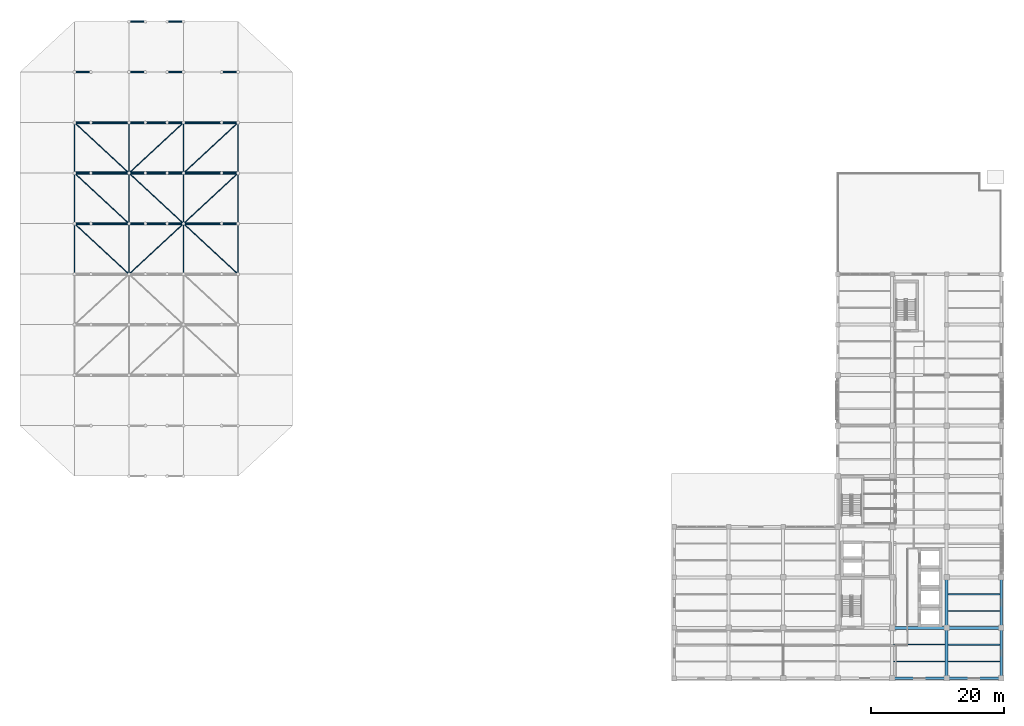
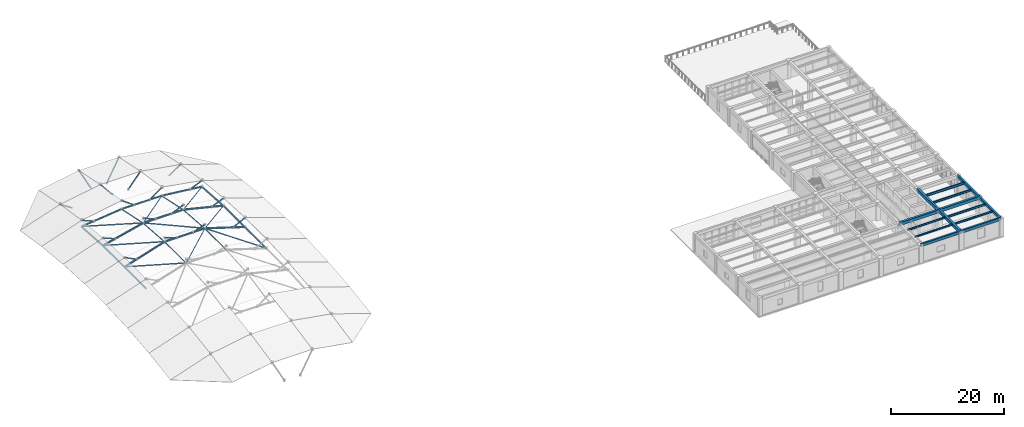
# One storey, part 6 of 22: 48 members, 14 beams.
"""IFC4 building model written with IfcOpenShell, lengths in metres."""

from ifc_helpers import new_model, si_unit, direction, frame, origin, origin_2d, place, context, subcontext, project, spatial, rectangle, hollow_rectangle, hollow_circle, i_section, extrude, material, material_profile, profile_set, type_object, element, save


model = new_model("IFC4")

# Units and contexts
model_context = context("Model", 3, precision=1e-05, world=origin(), true_north=direction((0.0, 1.0)))
body_context = subcontext(model_context, "Body", "Model", "MODEL_VIEW")
ifc_project = project(units=[si_unit("LENGTHUNIT", "METRE"), si_unit("AREAUNIT", "SQUARE_METRE"), si_unit("VOLUMEUNIT", "CUBIC_METRE"), si_unit("PLANEANGLEUNIT", "RADIAN"), si_unit("MASSUNIT", "GRAM", prefix="KILO")], contexts=[model_context])

# Site, building, storey
site_placement = place(None, origin())
site = spatial("IfcSite", under=ifc_project, at=site_placement, CompositionType="ELEMENT")
building_placement = place(site_placement, origin())
building = spatial("IfcBuilding", under=site, at=building_placement, Name="Qandaris Square Conservatory and Botanical Centre", CompositionType="ELEMENT")
storey_placement = place(building_placement, frame((0.0, 0.0, 19.800048828125)))
storey = spatial("IfcBuildingStorey", under=building, at=storey_placement, Name="L04", CompositionType="ELEMENT", Elevation=19.800048828125)

# Beams
ifc_material_1 = material(Name="Steel S355", Category="steel")
ifc_material_profile_1 = material_profile(ifc_material_1, i_section(OverallWidth=0.18994140625, OverallDepth=0.449951171875, WebThickness=0.009521484375, FlangeThickness=0.0146484375, FilletRadius=0.02099609375, at=origin_2d()), Name="IPE 450")
ifc_profile_set_1 = profile_set([ifc_material_profile_1], Name="Steel S355")
beam_type_1 = type_object("IfcBeamType", Name="Composite Archive Joist IPE 450", PredefinedType="JOIST", material=ifc_profile_set_1)
for number, where, z_axis, x_axis, name in (
    (1, (155.824951171875, 21.666748046875, 3.704833984375), (1.0, 0.0, 0.0), (0.0, 1.0, 0.0), "L04 Composite Joist 1808"),
    (2, (155.824951171875, 26.7333984375, 3.704833984375), (1.0, 0.0, 0.0), (0.0, 1.0, 0.0), "L04 Composite Joist 1809"),
):
    element("IfcBeam", number, at=place(storey_placement, frame(where, z_axis=z_axis, x_axis=x_axis)), inside=storey, type_object=beam_type_1, Name=name, PredefinedType="JOIST", context=body_context, shape_type="SweptSolid", body=[
        extrude(i_section(OverallWidth=0.18994140625, OverallDepth=0.449951171875, WebThickness=0.009521484375, FlangeThickness=0.0146484375, FilletRadius=0.02099609375, at=origin_2d()), origin(), (0.0, 0.0, 1.0), 7.800048828125),
    ])
ifc_material_profile_2 = material_profile(ifc_material_1, i_section(OverallWidth=0.199951171875, OverallDepth=0.5, WebThickness=0.01025390625, FlangeThickness=0.01611328125, FilletRadius=0.02099609375, at=origin_2d()), Name="IPE 500")
ifc_profile_set_2 = profile_set([ifc_material_profile_2], Name="Steel S355")
beam_type_2 = type_object("IfcBeamType", Name="Composite Gallery Joist IPE 500", PredefinedType="JOIST", material=ifc_profile_set_2)
beam_1_placement = place(storey_placement, frame((155.824951171875, 29.2666015625, 3.679931640625), z_axis=(1.0, 0.0, 0.0), x_axis=(0.0, 1.0, 0.0)))
element("IfcBeam", 3, at=beam_1_placement, inside=storey, type_object=beam_type_2, Name="L04 Composite Joist 1810", PredefinedType="JOIST", context=body_context, shape_type="SweptSolid", body=[
    extrude(i_section(OverallWidth=0.199951171875, OverallDepth=0.5, WebThickness=0.01025390625, FlangeThickness=0.01611328125, FilletRadius=0.02099609375, at=origin_2d()), origin(), (0.0, 0.0, 1.0), 7.800048828125),
])
ifc_material_profile_3 = material_profile(ifc_material_1, i_section(OverallWidth=0.169921875, OverallDepth=0.360107421875, WebThickness=0.008056640625, FlangeThickness=0.0126953125, FilletRadius=0.01806640625, at=origin_2d()), Name="IPE 360")
ifc_profile_set_3 = profile_set([ifc_material_profile_3], Name="Steel S355")
beam_type_3 = type_object("IfcBeamType", Name="Composite Lab Joist IPE 360", PredefinedType="JOIST", material=ifc_profile_set_3)
beam_2_placement = place(storey_placement, frame((147.625, 19.13330078125, 3.75), z_axis=(1.0, 0.0, 0.0), x_axis=(0.0, 1.0, 0.0)))
element("IfcBeam", 4, at=beam_2_placement, inside=storey, type_object=beam_type_3, Name="L04 Composite Joist 1796", PredefinedType="JOIST", context=body_context, shape_type="SweptSolid", body=[
    extrude(i_section(OverallWidth=0.169921875, OverallDepth=0.360107421875, WebThickness=0.008056640625, FlangeThickness=0.0126953125, FilletRadius=0.01806640625, at=origin_2d()), origin(), (0.0, 0.0, 1.0), 7.75),
])
ifc_material_profile_4 = material_profile(ifc_material_1, i_section(OverallWidth=0.179931640625, OverallDepth=0.39990234375, WebThickness=0.008544921875, FlangeThickness=0.013427734375, FilletRadius=0.02099609375, at=origin_2d()), Name="IPE 400")
ifc_profile_set_4 = profile_set([ifc_material_profile_4], Name="Steel S355")
beam_type_4 = type_object("IfcBeamType", Name="Composite Plinth Joist IPE 400", PredefinedType="JOIST", material=ifc_profile_set_4)
beam_3_placement = place(storey_placement, frame((147.625, 21.666748046875, 3.72998046875), z_axis=(1.0, 0.0, 0.0), x_axis=(0.0, 1.0, 0.0)))
element("IfcBeam", 5, at=beam_3_placement, inside=storey, type_object=beam_type_4, Name="L04 Composite Joist 1797", PredefinedType="JOIST", context=body_context, shape_type="SweptSolid", body=[
    extrude(i_section(OverallWidth=0.179931640625, OverallDepth=0.39990234375, WebThickness=0.008544921875, FlangeThickness=0.013427734375, FilletRadius=0.02099609375, at=origin_2d()), origin(), (0.0, 0.0, 1.0), 7.75),
])
beam_4_placement = place(storey_placement, frame((155.824951171875, 19.13330078125, 3.72998046875), z_axis=(1.0, 0.0, 0.0), x_axis=(0.0, 1.0, 0.0)))
element("IfcBeam", 6, at=beam_4_placement, inside=storey, type_object=beam_type_4, Name="L04 Composite Joist 1807", PredefinedType="JOIST", context=body_context, shape_type="SweptSolid", body=[
    extrude(i_section(OverallWidth=0.179931640625, OverallDepth=0.39990234375, WebThickness=0.008544921875, FlangeThickness=0.013427734375, FilletRadius=0.02099609375, at=origin_2d()), origin(), (0.0, 0.0, 1.0), 7.800048828125),
])

# Members
ifc_material_profile_5 = material_profile(ifc_material_1, hollow_circle(Radius=0.084228515625, WallThickness=0.008056640625, at=origin_2d()), Name="CHS 168.3x8.0")
ifc_profile_set_5 = profile_set([ifc_material_profile_5], Name="Steel S355")
member_type_1 = type_object("IfcMemberType", Name="Gridshell Crown Diagrid Brace CHS 168.3x8.0", PredefinedType="BRACE", material=ifc_profile_set_5)
for number, where, z_axis, x_axis, name in (
    (7, (24.39990234375, 85.0, 0.531982421875), (0.714710412362, -0.662407262618, 0.22451201503), (0.679760654278, 0.733434014002, 0.0), "Conservatory Diagrid Brace 012"),
    (8, (24.39990234375, 92.60009765625, 0.531982421875), (0.714710412362, -0.662407262618, 0.22451201503), (0.679760654278, 0.733434014002, 0.0), "Conservatory Diagrid Brace 013"),
):
    element("IfcMember", number, at=place(storey_placement, frame(where, z_axis=z_axis, x_axis=x_axis)), inside=storey, type_object=member_type_1, Name=name, PredefinedType="BRACE", context=body_context, shape_type="SweptSolid", body=[
        extrude(hollow_circle(Radius=0.084228515625, WallThickness=0.008056640625, at=origin_2d()), origin(), (0.0, 0.0, 1.0), 11.473388671875),
    ])
member_1_placement = place(storey_placement, frame((24.39990234375, 100.199951171875, 0.02880859375), z_axis=(0.715675757683, -0.663280655619, 0.218785241154), x_axis=(0.679748907773, 0.733444900713, 0.0)))
element("IfcMember", 9, at=member_1_placement, inside=storey, type_object=member_type_1, Name="Conservatory Diagrid Brace 014", PredefinedType="BRACE", context=body_context, shape_type="SweptSolid", body=[
    extrude(hollow_circle(Radius=0.084228515625, WallThickness=0.008056640625, at=origin_2d()), origin(), (0.0, 0.0, 1.0), 11.4580078125),
])
member_2_placement = place(storey_placement, frame((32.60009765625, 77.39990234375, 3.10791015625), z_axis=(0.733423923811, 0.67977154102, 0.0), x_axis=(-0.67977154102, 0.733423923811, 0.0)))
element("IfcMember", 10, at=member_2_placement, inside=storey, type_object=member_type_1, Name="Conservatory Diagrid Brace 021", PredefinedType="BRACE", context=body_context, shape_type="SweptSolid", body=[
    extrude(hollow_circle(Radius=0.084228515625, WallThickness=0.008056640625, at=origin_2d()), origin(), (0.0, 0.0, 1.0), 11.180419921875),
])
member_3_placement = place(storey_placement, frame((32.60009765625, 92.60009765625, 2.53564453125), z_axis=(0.732465062761, -0.678882823823, 0.051117935723), x_axis=(0.67977154102, 0.733423923811, 0.0)))
element("IfcMember", 11, at=member_3_placement, inside=storey, type_object=member_type_1, Name="Conservatory Diagrid Brace 022", PredefinedType="BRACE", context=body_context, shape_type="SweptSolid", body=[
    extrude(hollow_circle(Radius=0.084228515625, WallThickness=0.008056640625, at=origin_2d()), origin(), (0.0, 0.0, 1.0), 11.195068359375),
])
member_4_placement = place(storey_placement, frame((32.60009765625, 92.60009765625, 2.53564453125), z_axis=(0.726125483003, 0.672985386024, -0.140827742766), x_axis=(-0.67975979465, 0.733434810721, 0.0)))
element("IfcMember", 12, at=member_4_placement, inside=storey, type_object=member_type_1, Name="Conservatory Diagrid Brace 023", PredefinedType="BRACE", context=body_context, shape_type="SweptSolid", body=[
    extrude(hollow_circle(Radius=0.084228515625, WallThickness=0.008056640625, at=origin_2d()), origin(), (0.0, 0.0, 1.0), 11.292724609375),
])
for number, where, z_axis, x_axis, name in (
    (13, (40.800048828125, 85.0, 3.10791015625), (0.714700002797, -0.66241733668, -0.224515429467), (0.67977154102, 0.733423923811, 0.0), "Conservatory Diagrid Brace 030"),
    (14, (40.800048828125, 85.0, 3.10791015625), (0.714700002797, 0.66241733668, -0.224515429467), (-0.67977154102, 0.733423923811, 0.0), "Conservatory Diagrid Brace 031"),
):
    element("IfcMember", number, at=place(storey_placement, frame(where, z_axis=z_axis, x_axis=x_axis)), inside=storey, type_object=member_type_1, Name=name, PredefinedType="BRACE", context=body_context, shape_type="SweptSolid", body=[
        extrude(hollow_circle(Radius=0.084228515625, WallThickness=0.008056640625, at=origin_2d()), origin(), (0.0, 0.0, 1.0), 11.473388671875),
    ])
member_5_placement = place(storey_placement, frame((40.800048828125, 92.60009765625, 2.53564453125), z_axis=(0.71566536348, 0.663290770232, -0.218788577492), x_axis=(-0.67975979465, 0.733434810721, 0.0)))
element("IfcMember", 15, at=member_5_placement, inside=storey, type_object=member_type_1, Name="Conservatory Diagrid Brace 032", PredefinedType="BRACE", context=body_context, shape_type="SweptSolid", body=[
    extrude(hollow_circle(Radius=0.084228515625, WallThickness=0.008056640625, at=origin_2d()), origin(), (0.0, 0.0, 1.0), 11.457763671875),
])
ifc_material_profile_6 = material_profile(ifc_material_1, hollow_circle(Radius=0.136474609375, WallThickness=0.010009765625, at=origin_2d()), Name="CHS 273.0x10.0")
ifc_profile_set_6 = profile_set([ifc_material_profile_6], Name="Steel S355")
member_type_2 = type_object("IfcMemberType", Name="Gridshell Crown Ring Chord CHS 273.0x10.0", PredefinedType="CHORD", material=ifc_profile_set_6)
member_6_placement = place(storey_placement, frame((26.860107421875, 85.0, 1.3046875), z_axis=(-0.894373932266, 0.0, 0.447320097114), x_axis=(0.0, -1.0, 0.0)))
element("IfcMember", 16, at=member_6_placement, inside=storey, type_object=member_type_2, Name="Dome Glazing V-Strut 1.5", PredefinedType="CHORD", context=body_context, shape_type="SweptSolid", body=[
    extrude(hollow_circle(Radius=0.136474609375, WallThickness=0.010009765625, at=origin_2d()), origin(), (0.0, 0.0, 1.0), 2.750732421875),
])
member_7_placement = place(storey_placement, frame((26.860107421875, 92.60009765625, 1.133056640625), z_axis=(-0.924818684951, 0.0, 0.380408201759), x_axis=(0.0, -1.0, 0.0)))
element("IfcMember", 17, at=member_7_placement, inside=storey, type_object=member_type_2, Name="Dome Glazing V-Strut 1.6", PredefinedType="CHORD", context=body_context, shape_type="SweptSolid", body=[
    extrude(hollow_circle(Radius=0.136474609375, WallThickness=0.010009765625, at=origin_2d()), origin(), (0.0, 0.0, 1.0), 2.66015625),
])
member_8_placement = place(storey_placement, frame((26.860107421875, 100.199951171875, 0.303955078125), z_axis=(-0.918275535338, 0.0, 0.395941966959), x_axis=(0.0, -1.0, 0.0)))
element("IfcMember", 18, at=member_8_placement, inside=storey, type_object=member_type_2, Name="Dome Glazing V-Strut 1.7", PredefinedType="CHORD", context=body_context, shape_type="SweptSolid", body=[
    extrude(hollow_circle(Radius=0.136474609375, WallThickness=0.010009765625, at=origin_2d()), origin(), (0.0, 0.0, 1.0), 2.67919921875),
])
member_9_placement = place(storey_placement, frame((26.860107421875, 107.800048828125, -1.43994140625), z_axis=(-0.832964779226, 0.0, 0.553326012915), x_axis=(0.0, -1.0, 0.0)))
element("IfcMember", 19, at=member_9_placement, inside=storey, type_object=member_type_2, Name="Dome Glazing V-Strut 1.8", PredefinedType="CHORD", context=body_context, shape_type="SweptSolid", body=[
    extrude(hollow_circle(Radius=0.136474609375, WallThickness=0.010009765625, at=origin_2d()), origin(), (0.0, 0.0, 1.0), 2.95361328125),
])
member_10_placement = place(storey_placement, frame((35.06005859375, 85.0, 3.10791015625), z_axis=(-0.948758599328, 0.0, 0.316001772464), x_axis=(0.0, -1.0, 0.0)))
element("IfcMember", 20, at=member_10_placement, inside=storey, type_object=member_type_2, Name="Dome Glazing V-Strut 2.5", PredefinedType="CHORD", context=body_context, shape_type="SweptSolid", body=[
    extrude(hollow_circle(Radius=0.136474609375, WallThickness=0.010009765625, at=origin_2d()), origin(), (0.0, 0.0, 1.0), 2.5927734375),
])
member_11_placement = place(storey_placement, frame((35.06005859375, 92.60009765625, 2.53564453125), z_axis=(-0.926189872577, 0.0, 0.377057449118), x_axis=(0.0, -1.0, 0.0)))
element("IfcMember", 21, at=member_11_placement, inside=storey, type_object=member_type_2, Name="Dome Glazing V-Strut 2.6", PredefinedType="CHORD", context=body_context, shape_type="SweptSolid", body=[
    extrude(hollow_circle(Radius=0.136474609375, WallThickness=0.010009765625, at=origin_2d()), origin(), (0.0, 0.0, 1.0), 2.656005859375),
])
member_12_placement = place(storey_placement, frame((35.06005859375, 100.199951171875, 0.9453125), z_axis=(-0.805224530381, 0.0, 0.59297002932), x_axis=(0.0, -1.0, 0.0)))
element("IfcMember", 22, at=member_12_placement, inside=storey, type_object=member_type_2, Name="Dome Glazing V-Strut 2.7", PredefinedType="CHORD", context=body_context, shape_type="SweptSolid", body=[
    extrude(hollow_circle(Radius=0.136474609375, WallThickness=0.010009765625, at=origin_2d()), origin(), (0.0, 0.0, 1.0), 3.054931640625),
])
member_13_placement = place(storey_placement, frame((35.06005859375, 107.800048828125, -1.43994140625), z_axis=(-0.630752866449, 0.0, 0.775983776548), x_axis=(0.0, -1.0, 0.0)))
element("IfcMember", 23, at=member_13_placement, inside=storey, type_object=member_type_2, Name="Dome Glazing V-Strut 2.8", PredefinedType="CHORD", context=body_context, shape_type="SweptSolid", body=[
    extrude(hollow_circle(Radius=0.136474609375, WallThickness=0.010009765625, at=origin_2d()), origin(), (0.0, 0.0, 1.0), 3.900146484375),
])
member_14_placement = place(storey_placement, frame((35.06005859375, 115.39990234375, -4.6201171875), z_axis=(-0.467934662337, 0.0, 0.883763063147), x_axis=(0.0, -1.0, 0.0)))
element("IfcMember", 24, at=member_14_placement, inside=storey, type_object=member_type_2, Name="Dome Glazing V-Strut 2.9", PredefinedType="CHORD", context=body_context, shape_type="SweptSolid", body=[
    extrude(hollow_circle(Radius=0.136474609375, WallThickness=0.010009765625, at=origin_2d()), origin(), (0.0, 0.0, 1.0), 5.257080078125),
])
member_15_placement = place(storey_placement, frame((38.340087890625, 85.0, 3.10791015625), z_axis=(0.948758599328, 0.0, 0.316001772464), x_axis=(0.0, 1.0, 0.0)))
element("IfcMember", 25, at=member_15_placement, inside=storey, type_object=member_type_2, Name="Dome Glazing V-Strut 3.5", PredefinedType="CHORD", context=body_context, shape_type="SweptSolid", body=[
    extrude(hollow_circle(Radius=0.136474609375, WallThickness=0.010009765625, at=origin_2d()), origin(), (0.0, 0.0, 1.0), 2.5927734375),
])
member_16_placement = place(storey_placement, frame((38.340087890625, 92.60009765625, 2.53564453125), z_axis=(0.926189872577, 0.0, 0.377057449118), x_axis=(0.0, 1.0, 0.0)))
element("IfcMember", 26, at=member_16_placement, inside=storey, type_object=member_type_2, Name="Dome Glazing V-Strut 3.6", PredefinedType="CHORD", context=body_context, shape_type="SweptSolid", body=[
    extrude(hollow_circle(Radius=0.136474609375, WallThickness=0.010009765625, at=origin_2d()), origin(), (0.0, 0.0, 1.0), 2.656005859375),
])
member_17_placement = place(storey_placement, frame((38.340087890625, 100.199951171875, 0.9453125), z_axis=(0.805224530381, 0.0, 0.59297002932), x_axis=(0.0, 1.0, 0.0)))
element("IfcMember", 27, at=member_17_placement, inside=storey, type_object=member_type_2, Name="Dome Glazing V-Strut 3.7", PredefinedType="CHORD", context=body_context, shape_type="SweptSolid", body=[
    extrude(hollow_circle(Radius=0.136474609375, WallThickness=0.010009765625, at=origin_2d()), origin(), (0.0, 0.0, 1.0), 3.054931640625),
])
member_18_placement = place(storey_placement, frame((38.340087890625, 107.800048828125, -1.43994140625), z_axis=(0.630752866449, 0.0, 0.775983776548), x_axis=(0.0, 1.0, 0.0)))
element("IfcMember", 28, at=member_18_placement, inside=storey, type_object=member_type_2, Name="Dome Glazing V-Strut 3.8", PredefinedType="CHORD", context=body_context, shape_type="SweptSolid", body=[
    extrude(hollow_circle(Radius=0.136474609375, WallThickness=0.010009765625, at=origin_2d()), origin(), (0.0, 0.0, 1.0), 3.900146484375),
])
member_19_placement = place(storey_placement, frame((38.340087890625, 115.39990234375, -4.6201171875), z_axis=(0.467934662337, 0.0, 0.883763063147), x_axis=(0.0, 1.0, 0.0)))
element("IfcMember", 29, at=member_19_placement, inside=storey, type_object=member_type_2, Name="Dome Glazing V-Strut 3.9", PredefinedType="CHORD", context=body_context, shape_type="SweptSolid", body=[
    extrude(hollow_circle(Radius=0.136474609375, WallThickness=0.010009765625, at=origin_2d()), origin(), (0.0, 0.0, 1.0), 5.257080078125),
])
member_20_placement = place(storey_placement, frame((46.5400390625, 85.0, 1.3046875), z_axis=(0.894356170899, 0.0, 0.447355607516), x_axis=(0.0, 1.0, 0.0)))
element("IfcMember", 30, at=member_20_placement, inside=storey, type_object=member_type_2, Name="Dome Glazing V-Strut 4.5", PredefinedType="CHORD", context=body_context, shape_type="SweptSolid", body=[
    extrude(hollow_circle(Radius=0.136474609375, WallThickness=0.010009765625, at=origin_2d()), origin(), (0.0, 0.0, 1.0), 2.75048828125),
])
member_21_placement = place(storey_placement, frame((46.5400390625, 92.60009765625, 1.133056640625), z_axis=(0.924805402434, 0.0, 0.380440491573), x_axis=(0.0, 1.0, 0.0)))
element("IfcMember", 31, at=member_21_placement, inside=storey, type_object=member_type_2, Name="Dome Glazing V-Strut 4.6", PredefinedType="CHORD", context=body_context, shape_type="SweptSolid", body=[
    extrude(hollow_circle(Radius=0.136474609375, WallThickness=0.010009765625, at=origin_2d()), origin(), (0.0, 0.0, 1.0), 2.659912109375),
])
member_22_placement = place(storey_placement, frame((46.5400390625, 100.199951171875, 0.303955078125), z_axis=(0.918261247736, 0.0, 0.395975101371), x_axis=(0.0, 1.0, 0.0)))
element("IfcMember", 32, at=member_22_placement, inside=storey, type_object=member_type_2, Name="Dome Glazing V-Strut 4.7", PredefinedType="CHORD", context=body_context, shape_type="SweptSolid", body=[
    extrude(hollow_circle(Radius=0.136474609375, WallThickness=0.010009765625, at=origin_2d()), origin(), (0.0, 0.0, 1.0), 2.678955078125),
])
member_23_placement = place(storey_placement, frame((46.5400390625, 107.800048828125, -1.43994140625), z_axis=(0.832939468628, 0.0, 0.553364113041), x_axis=(0.0, 1.0, 0.0)))
element("IfcMember", 33, at=member_23_placement, inside=storey, type_object=member_type_2, Name="Dome Glazing V-Strut 4.8", PredefinedType="CHORD", context=body_context, shape_type="SweptSolid", body=[
    extrude(hollow_circle(Radius=0.136474609375, WallThickness=0.010009765625, at=origin_2d()), origin(), (0.0, 0.0, 1.0), 2.953369140625),
])
ifc_material_profile_7 = material_profile(ifc_material_1, hollow_rectangle(XDim=0.199951171875, YDim=0.300048828125, WallThickness=0.010009765625, at=origin_2d()), Name="RHS 300x200x10.0")
ifc_profile_set_7 = profile_set([ifc_material_profile_7], Name="Steel S355")
member_type_3 = type_object("IfcMemberType", Name="Gridshell Main Ring Purlin RHS 300x200x10.0", PredefinedType="PURLIN", material=ifc_profile_set_7)
for number, where, z_axis, x_axis, name in (
    (34, (24.39990234375, 77.39990234375, 0.451904296875), (0.0, 1.0, 0.0), (-1.0, 0.0, 0.0), "Conservatory Roof Purlin 005"),
    (35, (24.39990234375, 85.0, 0.451904296875), (0.0, 1.0, 0.0), (-1.0, 0.0, 0.0), "Conservatory Roof Purlin 006"),
):
    element("IfcMember", number, at=place(storey_placement, frame(where, z_axis=z_axis, x_axis=x_axis)), inside=storey, type_object=member_type_3, Name=name, PredefinedType="PURLIN", context=body_context, shape_type="SweptSolid", body=[
        extrude(hollow_rectangle(XDim=0.199951171875, YDim=0.300048828125, WallThickness=0.010009765625, at=origin_2d()), origin(), (0.0, 0.0, 1.0), 7.60009765625),
    ])
member_24_placement = place(storey_placement, frame((24.39990234375, 92.60009765625, 0.451904296875), z_axis=(0.0, 0.997815406199, -0.066063720395), x_axis=(-1.0, 0.0, 0.0)))
element("IfcMember", 36, at=member_24_placement, inside=storey, type_object=member_type_3, Name="Conservatory Roof Purlin 007", PredefinedType="PURLIN", context=body_context, shape_type="SweptSolid", body=[
    extrude(hollow_rectangle(XDim=0.199951171875, YDim=0.300048828125, WallThickness=0.010009765625, at=origin_2d()), origin(), (0.0, 0.0, 1.0), 7.616455078125),
])
for number, where, z_axis, x_axis, name in (
    (37, (49.0, 77.39990234375, 0.451904296875), (0.0, 1.0, 0.0), (-1.0, 0.0, 0.0), "Conservatory Roof Purlin 032"),
    (38, (49.0, 85.0, 0.451904296875), (0.0, 1.0, 0.0), (-1.0, 0.0, 0.0), "Conservatory Roof Purlin 033"),
):
    element("IfcMember", number, at=place(storey_placement, frame(where, z_axis=z_axis, x_axis=x_axis)), inside=storey, type_object=member_type_3, Name=name, PredefinedType="PURLIN", context=body_context, shape_type="SweptSolid", body=[
        extrude(hollow_rectangle(XDim=0.199951171875, YDim=0.300048828125, WallThickness=0.010009765625, at=origin_2d()), origin(), (0.0, 0.0, 1.0), 7.60009765625),
    ])
member_25_placement = place(storey_placement, frame((49.0, 92.60009765625, 0.451904296875), z_axis=(0.0, 0.997815406199, -0.066063720395), x_axis=(-1.0, 0.0, 0.0)))
element("IfcMember", 39, at=member_25_placement, inside=storey, type_object=member_type_3, Name="Conservatory Roof Purlin 034", PredefinedType="PURLIN", context=body_context, shape_type="SweptSolid", body=[
    extrude(hollow_rectangle(XDim=0.199951171875, YDim=0.300048828125, WallThickness=0.010009765625, at=origin_2d()), origin(), (0.0, 0.0, 1.0), 7.616455078125),
])
ifc_material_profile_8 = material_profile(ifc_material_1, hollow_circle(Radius=0.203125, WallThickness=0.01416015625, at=origin_2d()), Name="CHS 406.4x14.2")
ifc_profile_set_8 = profile_set([ifc_material_profile_8], Name="Steel S355")
member_type_4 = type_object("IfcMemberType", Name="Gridshell Primary Arch Chord CHS 406.4x14.2", PredefinedType="CHORD", material=ifc_profile_set_8)
member_26_placement = place(storey_placement, frame((24.39990234375, 85.0, 0.531982421875), z_axis=(0.954036186829, 0.0, 0.299691431679), x_axis=(0.0, 1.0, 0.0)))
element("IfcMember", 40, at=member_26_placement, inside=storey, type_object=member_type_4, Name="Conservatory Roof Truss Chord 013", PredefinedType="CHORD", context=body_context, shape_type="SweptSolid", body=[
    extrude(hollow_circle(Radius=0.203125, WallThickness=0.01416015625, at=origin_2d()), origin(), (0.0, 0.0, 1.0), 8.59521484375),
])
member_27_placement = place(storey_placement, frame((24.39990234375, 92.60009765625, 0.531982421875), z_axis=(0.971421683893, 0.0, 0.237360300098), x_axis=(0.0, 1.0, 0.0)))
element("IfcMember", 41, at=member_27_placement, inside=storey, type_object=member_type_4, Name="Conservatory Roof Truss Chord 014", PredefinedType="CHORD", context=body_context, shape_type="SweptSolid", body=[
    extrude(hollow_circle(Radius=0.203125, WallThickness=0.01416015625, at=origin_2d()), origin(), (0.0, 0.0, 1.0), 8.44140625),
])
for number, where, z_axis, x_axis, name in (
    (42, (32.60009765625, 85.0, 3.10791015625), (1.0, 0.0, 0.0), (0.0, 1.0, 0.0), "Conservatory Roof Truss Chord 021"),
    (43, (32.60009765625, 92.60009765625, 2.53564453125), (1.0, 0.0, 0.0), (0.0, 1.0, 0.0), "Conservatory Roof Truss Chord 022"),
):
    element("IfcMember", number, at=place(storey_placement, frame(where, z_axis=z_axis, x_axis=x_axis)), inside=storey, type_object=member_type_4, Name=name, PredefinedType="CHORD", context=body_context, shape_type="SweptSolid", body=[
        extrude(hollow_circle(Radius=0.203125, WallThickness=0.01416015625, at=origin_2d()), origin(), (0.0, 0.0, 1.0), 8.199951171875),
    ])
member_28_placement = place(storey_placement, frame((40.800048828125, 85.0, 3.10791015625), z_axis=(0.954033635614, 0.0, -0.299699553082), x_axis=(0.0, 1.0, 0.0)))
element("IfcMember", 44, at=member_28_placement, inside=storey, type_object=member_type_4, Name="Conservatory Roof Truss Chord 029", PredefinedType="CHORD", context=body_context, shape_type="SweptSolid", body=[
    extrude(hollow_circle(Radius=0.203125, WallThickness=0.01416015625, at=origin_2d()), origin(), (0.0, 0.0, 1.0), 8.594970703125),
])
member_29_placement = place(storey_placement, frame((40.800048828125, 92.60009765625, 2.53564453125), z_axis=(0.971420054379, 0.0, -0.237366968955), x_axis=(0.0, 1.0, 0.0)))
element("IfcMember", 45, at=member_29_placement, inside=storey, type_object=member_type_4, Name="Conservatory Roof Truss Chord 030", PredefinedType="CHORD", context=body_context, shape_type="SweptSolid", body=[
    extrude(hollow_circle(Radius=0.203125, WallThickness=0.01416015625, at=origin_2d()), origin(), (0.0, 0.0, 1.0), 8.441162109375),
])
ifc_material_profile_9 = material_profile(ifc_material_1, hollow_circle(Radius=0.177734375, WallThickness=0.012451171875, at=origin_2d()), Name="CHS 355.6x12.5")
ifc_profile_set_9 = profile_set([ifc_material_profile_9], Name="Steel S355")
member_type_5 = type_object("IfcMemberType", Name="Gridshell Secondary Arch Chord CHS 355.6x12.5", PredefinedType="CHORD", material=ifc_profile_set_9)
member_30_placement = place(storey_placement, frame((24.39990234375, 100.199951171875, 0.02880859375), z_axis=(0.993812081736, 0.0, 0.111074507408), x_axis=(0.0, 1.0, 0.0)))
element("IfcMember", 46, at=member_30_placement, inside=storey, type_object=member_type_5, Name="Conservatory Roof Truss Chord 015", PredefinedType="CHORD", context=body_context, shape_type="SweptSolid", body=[
    extrude(hollow_circle(Radius=0.177734375, WallThickness=0.012451171875, at=origin_2d()), origin(), (0.0, 0.0, 1.0), 8.251220703125),
])
member_31_placement = place(storey_placement, frame((32.60009765625, 100.199951171875, 0.9453125), z_axis=(1.0, 0.0, 0.0), x_axis=(0.0, 1.0, 0.0)))
element("IfcMember", 47, at=member_31_placement, inside=storey, type_object=member_type_5, Name="Conservatory Roof Truss Chord 023", PredefinedType="CHORD", context=body_context, shape_type="SweptSolid", body=[
    extrude(hollow_circle(Radius=0.177734375, WallThickness=0.012451171875, at=origin_2d()), origin(), (0.0, 0.0, 1.0), 8.199951171875),
])
member_32_placement = place(storey_placement, frame((40.800048828125, 100.199951171875, 0.9453125), z_axis=(0.993811716673, 0.0, -0.111077773674), x_axis=(0.0, 1.0, 0.0)))
element("IfcMember", 48, at=member_32_placement, inside=storey, type_object=member_type_5, Name="Conservatory Roof Truss Chord 031", PredefinedType="CHORD", context=body_context, shape_type="SweptSolid", body=[
    extrude(hollow_circle(Radius=0.177734375, WallThickness=0.012451171875, at=origin_2d()), origin(), (0.0, 0.0, 1.0), 8.2509765625),
])
ifc_material_profile_10 = material_profile(ifc_material_1, hollow_rectangle(XDim=0.1201171875, YDim=0.199951171875, WallThickness=0.008056640625, at=origin_2d()), Name="RHS 200x120x8.0")
ifc_profile_set_10 = profile_set([ifc_material_profile_10], Name="Steel S355")
member_type_6 = type_object("IfcMemberType", Name="Gridshell Upper Purlin RHS 200x120x8.0", PredefinedType="PURLIN", material=ifc_profile_set_10)
member_33_placement = place(storey_placement, frame((32.60009765625, 77.39990234375, 3.02783203125), z_axis=(0.0, 1.0, 0.0), x_axis=(-1.0, 0.0, 0.0)))
element("IfcMember", 49, at=member_33_placement, inside=storey, type_object=member_type_6, Name="Conservatory Roof Purlin 014", PredefinedType="PURLIN", context=body_context, shape_type="SweptSolid", body=[
    extrude(hollow_rectangle(XDim=0.1201171875, YDim=0.199951171875, WallThickness=0.008056640625, at=origin_2d()), origin(), (0.0, 0.0, 1.0), 7.60009765625),
])
member_34_placement = place(storey_placement, frame((32.60009765625, 85.0, 3.02783203125), z_axis=(0.0, 0.997177167994, -0.075084589842), x_axis=(-1.0, 0.0, 0.0)))
element("IfcMember", 50, at=member_34_placement, inside=storey, type_object=member_type_6, Name="Conservatory Roof Purlin 015", PredefinedType="PURLIN", context=body_context, shape_type="SweptSolid", body=[
    extrude(hollow_rectangle(XDim=0.1201171875, YDim=0.199951171875, WallThickness=0.008056640625, at=origin_2d()), origin(), (0.0, 0.0, 1.0), 7.62158203125),
])
member_35_placement = place(storey_placement, frame((32.60009765625, 92.60009765625, 2.45556640625), z_axis=(0.0, 0.978799275368, -0.204821821444), x_axis=(-1.0, 0.0, 0.0)))
element("IfcMember", 51, at=member_35_placement, inside=storey, type_object=member_type_6, Name="Conservatory Roof Purlin 016", PredefinedType="PURLIN", context=body_context, shape_type="SweptSolid", body=[
    extrude(hollow_rectangle(XDim=0.1201171875, YDim=0.199951171875, WallThickness=0.008056640625, at=origin_2d()), origin(), (0.0, 0.0, 1.0), 7.764404296875),
])
member_36_placement = place(storey_placement, frame((40.800048828125, 77.39990234375, 3.02783203125), z_axis=(0.0, 1.0, 0.0), x_axis=(-1.0, 0.0, 0.0)))
element("IfcMember", 52, at=member_36_placement, inside=storey, type_object=member_type_6, Name="Conservatory Roof Purlin 023", PredefinedType="PURLIN", context=body_context, shape_type="SweptSolid", body=[
    extrude(hollow_rectangle(XDim=0.1201171875, YDim=0.199951171875, WallThickness=0.008056640625, at=origin_2d()), origin(), (0.0, 0.0, 1.0), 7.60009765625),
])
member_37_placement = place(storey_placement, frame((40.800048828125, 85.0, 3.02783203125), z_axis=(0.0, 0.997177167994, -0.075084589842), x_axis=(-1.0, 0.0, 0.0)))
element("IfcMember", 53, at=member_37_placement, inside=storey, type_object=member_type_6, Name="Conservatory Roof Purlin 024", PredefinedType="PURLIN", context=body_context, shape_type="SweptSolid", body=[
    extrude(hollow_rectangle(XDim=0.1201171875, YDim=0.199951171875, WallThickness=0.008056640625, at=origin_2d()), origin(), (0.0, 0.0, 1.0), 7.62158203125),
])
member_38_placement = place(storey_placement, frame((40.800048828125, 92.60009765625, 2.45556640625), z_axis=(0.0, 0.978799275368, -0.204821821444), x_axis=(-1.0, 0.0, 0.0)))
element("IfcMember", 54, at=member_38_placement, inside=storey, type_object=member_type_6, Name="Conservatory Roof Purlin 025", PredefinedType="PURLIN", context=body_context, shape_type="SweptSolid", body=[
    extrude(hollow_rectangle(XDim=0.1201171875, YDim=0.199951171875, WallThickness=0.008056640625, at=origin_2d()), origin(), (0.0, 0.0, 1.0), 7.764404296875),
])

# Beams
ifc_material_2 = material(Name="Concrete C50/60", Category="concrete")
ifc_material_profile_11 = material_profile(ifc_material_2, rectangle(XDim=0.35009765625, YDim=0.60009765625, at=origin_2d()), Name="RC-SP 350x600")
ifc_profile_set_11 = profile_set([ifc_material_profile_11], Name="Concrete C50/60")
beam_type_5 = type_object("IfcBeamType", Name="RC Edge Spandrel Beam 350x600", PredefinedType="SPANDREL", material=ifc_profile_set_11)
beam_5_placement = place(storey_placement, frame((147.39990234375, 16.60009765625, 3.639892578125), z_axis=(1.0, 0.0, 0.0), x_axis=(0.0, 1.0, 0.0)))
element("IfcBeam", 55, at=beam_5_placement, inside=storey, type_object=beam_type_5, Name="L04 Frame Beam 1693", PredefinedType="SPANDREL", context=body_context, shape_type="SweptSolid", body=[
    extrude(rectangle(XDim=0.35009765625, YDim=0.60009765625, at=origin_2d()), origin(), (0.0, 0.0, 1.0), 8.2001953125),
])
beam_6_placement = place(storey_placement, frame((155.60009765625, 16.60009765625, 3.639892578125), z_axis=(1.0, 0.0, 0.0), x_axis=(0.0, 1.0, 0.0)))
element("IfcBeam", 56, at=beam_6_placement, inside=storey, type_object=beam_type_5, Name="L04 Frame Beam 1694", PredefinedType="SPANDREL", context=body_context, shape_type="SweptSolid", body=[
    extrude(rectangle(XDim=0.35009765625, YDim=0.60009765625, at=origin_2d()), origin(), (0.0, 0.0, 1.0), 8.199951171875),
])
beam_7_placement = place(storey_placement, frame((163.800048828125, 16.60009765625, 3.639892578125), z_axis=(0.0, 1.0, 0.0), x_axis=(-1.0, 0.0, 0.0)))
element("IfcBeam", 57, at=beam_7_placement, inside=storey, type_object=beam_type_5, Name="L04 Frame Beam 1759", PredefinedType="SPANDREL", context=body_context, shape_type="SweptSolid", body=[
    extrude(rectangle(XDim=0.35009765625, YDim=0.60009765625, at=origin_2d()), origin(), (0.0, 0.0, 1.0), 7.599853515625),
])
beam_8_placement = place(storey_placement, frame((163.800048828125, 24.199951171875, 3.639892578125), z_axis=(0.0, 1.0, 0.0), x_axis=(-1.0, 0.0, 0.0)))
element("IfcBeam", 58, at=beam_8_placement, inside=storey, type_object=beam_type_5, Name="L04 Frame Beam 1760", PredefinedType="SPANDREL", context=body_context, shape_type="SweptSolid", body=[
    extrude(rectangle(XDim=0.35009765625, YDim=0.60009765625, at=origin_2d()), origin(), (0.0, 0.0, 1.0), 7.60009765625),
])
ifc_material_profile_12 = material_profile(ifc_material_2, rectangle(XDim=0.449951171875, YDim=0.64990234375, at=origin_2d()), Name="RC-BM 450x650")
ifc_profile_set_12 = profile_set([ifc_material_profile_12], Name="Concrete C50/60")
beam_type_6 = type_object("IfcBeamType", Name="RC Floor Girder 450x650", PredefinedType="BEAM", material=ifc_profile_set_12)
beam_9_placement = place(storey_placement, frame((147.39990234375, 24.199951171875, 3.614990234375), z_axis=(1.0, 0.0, 0.0), x_axis=(0.0, 1.0, 0.0)))
element("IfcBeam", 59, at=beam_9_placement, inside=storey, type_object=beam_type_6, Name="L04 Frame Beam 1699", PredefinedType="BEAM", context=body_context, shape_type="SweptSolid", body=[
    extrude(rectangle(XDim=0.449951171875, YDim=0.64990234375, at=origin_2d()), origin(), (0.0, 0.0, 1.0), 8.2001953125),
])
beam_10_placement = place(storey_placement, frame((155.60009765625, 24.199951171875, 3.614990234375), z_axis=(1.0, 0.0, 0.0), x_axis=(0.0, 1.0, 0.0)))
element("IfcBeam", 60, at=beam_10_placement, inside=storey, type_object=beam_type_6, Name="L04 Frame Beam 1700", PredefinedType="BEAM", context=body_context, shape_type="SweptSolid", body=[
    extrude(rectangle(XDim=0.449951171875, YDim=0.64990234375, at=origin_2d()), origin(), (0.0, 0.0, 1.0), 8.199951171875),
])
beam_11_placement = place(storey_placement, frame((155.60009765625, 16.60009765625, 3.614990234375), z_axis=(0.0, 1.0, 0.0), x_axis=(-1.0, 0.0, 0.0)))
element("IfcBeam", 61, at=beam_11_placement, inside=storey, type_object=beam_type_6, Name="L04 Frame Beam 1751", PredefinedType="BEAM", context=body_context, shape_type="SweptSolid", body=[
    extrude(rectangle(XDim=0.449951171875, YDim=0.64990234375, at=origin_2d()), origin(), (0.0, 0.0, 1.0), 7.599853515625),
])
beam_12_placement = place(storey_placement, frame((155.60009765625, 24.199951171875, 3.614990234375), z_axis=(0.0, 1.0, 0.0), x_axis=(-1.0, 0.0, 0.0)))
element("IfcBeam", 62, at=beam_12_placement, inside=storey, type_object=beam_type_6, Name="L04 Frame Beam 1752", PredefinedType="BEAM", context=body_context, shape_type="SweptSolid", body=[
    extrude(rectangle(XDim=0.449951171875, YDim=0.64990234375, at=origin_2d()), origin(), (0.0, 0.0, 1.0), 7.60009765625),
])

save(model, "model.ifc")
